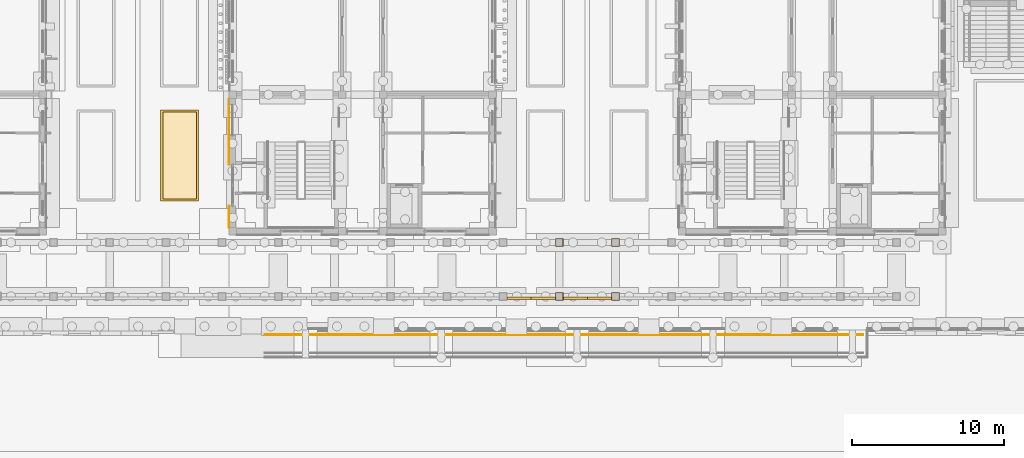
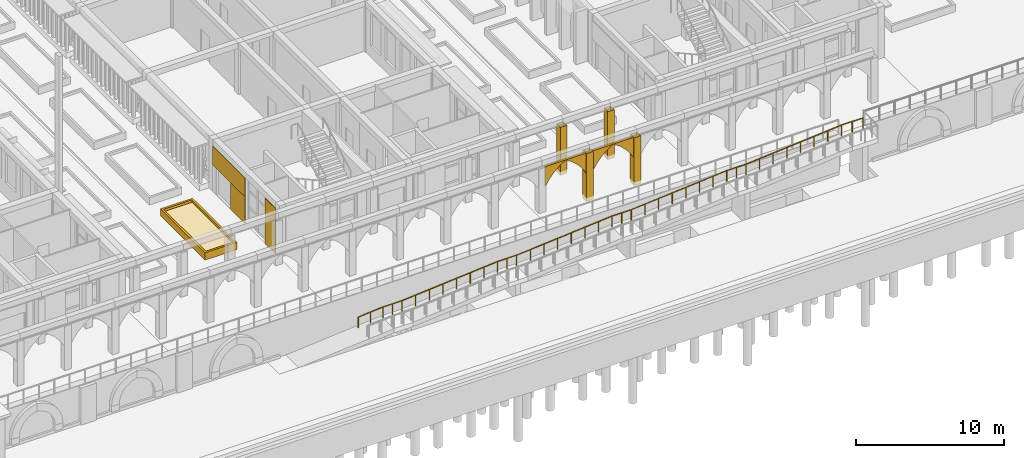
# One storey, part 122 of 161: 13 coverings, 1 railing.
"""IFC4 building model written with IfcOpenShell, lengths in metres."""

from ifc_helpers import new_model, si_unit, direction, frame, origin, origin_2d, place, context, subcontext, project, spatial, polyline, rectangle, circle, outline, extrude, material, layer, layer_set, type_object, element, save


model = new_model("IFC4")

# Units and contexts
model_context = context("Model", 3, precision=1e-05, world=origin(), true_north=direction((0.0, 1.0)))
body_context = subcontext(model_context, "Body", "Model", "MODEL_VIEW")
ifc_project = project(units=[si_unit("LENGTHUNIT", "METRE"), si_unit("AREAUNIT", "SQUARE_METRE"), si_unit("VOLUMEUNIT", "CUBIC_METRE"), si_unit("PLANEANGLEUNIT", "RADIAN"), si_unit("MASSUNIT", "GRAM", prefix="KILO")], contexts=[model_context])

# Site, building, storey
site_placement = place(None, origin())
site = spatial("IfcSite", under=ifc_project, at=site_placement, CompositionType="ELEMENT")
building_placement = place(site_placement, origin())
building = spatial("IfcBuilding", under=site, at=building_placement, Name="Elbe Cascade School", CompositionType="ELEMENT")
storey_placement = place(building_placement, origin())
storey = spatial("IfcBuildingStorey", under=building, at=storey_placement, Name="L00", CompositionType="ELEMENT", Elevation=0.0)

# Coverings
ifc_material_1 = material(Name="Sandstone - red", Category="masonry")
ifc_layer_1 = layer(ifc_material_1, 0.0400390625)
ifc_layer_set_1 = layer_set([ifc_layer_1], Name="Sandstone - red")
covering_type_1 = type_object("IfcCoveringType", Name="Bars envelope Sandstone cladding, red, 40 mm", PredefinedType="CLADDING", material=ifc_layer_set_1)
covering_1_placement = place(storey_placement, frame((127.9599609375, 6.969970703125, 0.0), z_axis=(0.0, 0.0, 1.0), x_axis=(0.0, 1.0, 0.0)))
element("IfcCovering", 1, at=covering_1_placement, inside=storey, type_object=covering_type_1, Name="Sandstone cladding CV48 C.L00.w.1a.1", PredefinedType="CLADDING", context=body_context, shape_type="SweptSolid", body=[
    extrude(rectangle(XDim=1.43994140625, YDim=0.0400390625, at=origin_2d()), origin(), (0.0, 0.0, 1.0), 3.75),
])
covering_2_placement = place(storey_placement, frame((127.9599609375, 11.344970703125, 0.0), z_axis=(0.0, 0.0, 1.0), x_axis=(0.0, 1.0, 0.0)))
element("IfcCovering", 2, at=covering_2_placement, inside=storey, type_object=covering_type_1, Name="Sandstone cladding CV48 C.L00.w.1b.1", PredefinedType="CLADDING", context=body_context, shape_type="SweptSolid", body=[
    extrude(rectangle(XDim=1.909912109375, YDim=0.0400390625, at=origin_2d()), origin(), (0.0, 0.0, 1.0), 2.199951171875),
])
covering_3_placement = place(storey_placement, frame((127.9599609375, 12.570068359375, 2.2001953125), z_axis=(0.0, 0.0, 1.0), x_axis=(0.0, 1.0, 0.0)))
element("IfcCovering", 3, at=covering_3_placement, inside=storey, type_object=covering_type_1, Name="Sandstone cladding CV48 C.L00.w.1b.3", PredefinedType="CLADDING", context=body_context, shape_type="SweptSolid", body=[
    extrude(rectangle(XDim=4.360107421875, YDim=0.0400390625, at=origin_2d()), origin(), (0.0, 0.0, 1.0), 1.550048828125),
])

# Railing
ifc_material_2 = material(Name="Steel S355J2H", Category="steel")
railing_type = type_object("IfcRailingType", Name="Quay and steps handrail 900", PredefinedType="HANDRAIL", material=ifc_material_2)
railing_placement = place(storey_placement, frame((130.320068359375, -0.800048828125, -2.639892578125)))
element("IfcRailing", 4, at=railing_placement, inside=storey, type_object=railing_type, Name="Quay ramp north hand", PredefinedType="HANDRAIL", context=body_context, shape_type="SweptSolid", body=[
    extrude(circle(Radius=0.02392578125, at=origin_2d()), frame((0.0, 0.0, 0.8759765625), z_axis=(0.996549253167, 0.0, 0.083003530115), x_axis=(0.0, 1.0, 0.0)), (0.0, 0.0, 1.0), 1.926513671875),
    extrude(circle(Radius=0.02392578125, at=origin_2d()), frame((1.919921875, 0.0, 1.03564453125), z_axis=(1.0, 0.0, 0.0), x_axis=(0.0, 1.0, 0.0)), (0.0, 0.0, 1.0), 1.5),
    extrude(circle(Radius=0.02392578125, at=origin_2d()), frame((3.419921875, 0.0, 1.03564453125), z_axis=(0.99654711128, 0.0, 0.08302924183), x_axis=(0.0, 1.0, 0.0)), (0.0, 0.0, 1.0), 7.4658203125),
    extrude(circle(Radius=0.02392578125, at=origin_2d()), frame((10.85986328125, 0.0, 1.65576171875), z_axis=(1.0, 0.0, 0.0), x_axis=(0.0, 1.0, 0.0)), (0.0, 0.0, 1.0), 1.5),
    extrude(circle(Radius=0.02392578125, at=origin_2d()), frame((12.35986328125, 0.0, 1.65576171875), z_axis=(0.996544630553, 0.0, 0.083059011045), x_axis=(0.0, 1.0, 0.0)), (0.0, 0.0, 1.0), 7.466064453125),
    extrude(circle(Radius=0.02392578125, at=origin_2d()), frame((19.800048828125, 0.0, 2.27587890625), z_axis=(1.0, 0.0, 0.0), x_axis=(0.0, 1.0, 0.0)), (0.0, 0.0, 1.0), 1.5),
    extrude(circle(Radius=0.02392578125, at=origin_2d()), frame((21.300048828125, 0.0, 2.27587890625), z_axis=(0.99654711128, 0.0, 0.08302924183), x_axis=(0.0, 1.0, 0.0)), (0.0, 0.0, 1.0), 7.4658203125),
    extrude(circle(Radius=0.02392578125, at=origin_2d()), frame((28.739990234375, 0.0, 2.8955078125), z_axis=(1.0, 0.0, 0.0), x_axis=(0.0, 1.0, 0.0)), (0.0, 0.0, 1.0), 1.5),
    extrude(circle(Radius=0.02392578125, at=origin_2d()), frame((30.239990234375, 0.0, 2.8955078125), z_axis=(0.996544404949, 0.0, 0.083061717811), x_axis=(0.0, 1.0, 0.0)), (0.0, 0.0, 1.0), 7.4658203125),
    extrude(circle(Radius=0.02392578125, at=origin_2d()), frame((37.679931640625, 0.0, 3.515625), z_axis=(1.0, 0.0, 0.0), x_axis=(0.0, 1.0, 0.0)), (0.0, 0.0, 1.0), 1.699951171875),
    extrude(circle(Radius=0.02099609375, at=origin_2d()), origin(), (0.0, 0.0, 1.0), 0.851806640625),
    extrude(circle(Radius=0.02099609375, at=origin_2d()), frame((0.9599609375, 0.0, 0.080078125)), (0.0, 0.0, 1.0), 0.851806640625),
    extrude(circle(Radius=0.02099609375, at=origin_2d()), frame((1.919921875, 0.0, 0.159912109375)), (0.0, 0.0, 1.0), 0.851806640625),
    extrude(circle(Radius=0.02099609375, at=origin_2d()), frame((2.669921875, 0.0, 0.159912109375)), (0.0, 0.0, 1.0), 0.851806640625),
    extrude(circle(Radius=0.02099609375, at=origin_2d()), frame((3.419921875, 0.0, 0.159912109375)), (0.0, 0.0, 1.0), 0.851806640625),
    extrude(circle(Radius=0.02099609375, at=origin_2d()), frame((4.482666015625, 0.0, 0.24853515625)), (0.0, 0.0, 1.0), 0.851806640625),
    extrude(circle(Radius=0.02099609375, at=origin_2d()), frame((5.545654296875, 0.0, 0.3369140625)), (0.0, 0.0, 1.0), 0.851806640625),
    extrude(circle(Radius=0.02099609375, at=origin_2d()), frame((6.6083984375, 0.0, 0.425537109375)), (0.0, 0.0, 1.0), 0.851806640625),
    extrude(circle(Radius=0.02099609375, at=origin_2d()), frame((7.67138671875, 0.0, 0.51416015625)), (0.0, 0.0, 1.0), 0.851806640625),
    extrude(circle(Radius=0.02099609375, at=origin_2d()), frame((8.734130859375, 0.0, 0.602783203125)), (0.0, 0.0, 1.0), 0.851806640625),
    extrude(circle(Radius=0.02099609375, at=origin_2d()), frame((9.797119140625, 0.0, 0.691162109375)), (0.0, 0.0, 1.0), 0.851806640625),
    extrude(circle(Radius=0.02099609375, at=origin_2d()), frame((10.85986328125, 0.0, 0.77978515625)), (0.0, 0.0, 1.0), 0.851806640625),
    extrude(circle(Radius=0.02099609375, at=origin_2d()), frame((11.60986328125, 0.0, 0.77978515625)), (0.0, 0.0, 1.0), 0.851806640625),
    extrude(circle(Radius=0.02099609375, at=origin_2d()), frame((12.35986328125, 0.0, 0.77978515625)), (0.0, 0.0, 1.0), 0.851806640625),
    extrude(circle(Radius=0.02099609375, at=origin_2d()), frame((13.4228515625, 0.0, 0.868408203125)), (0.0, 0.0, 1.0), 0.851806640625),
    extrude(circle(Radius=0.02099609375, at=origin_2d()), frame((14.485595703125, 0.0, 0.95703125)), (0.0, 0.0, 1.0), 0.851806640625),
    extrude(circle(Radius=0.02099609375, at=origin_2d()), frame((15.548583984375, 0.0, 1.045654296875)), (0.0, 0.0, 1.0), 0.851806640625),
    extrude(circle(Radius=0.02099609375, at=origin_2d()), frame((16.611328125, 0.0, 1.134033203125)), (0.0, 0.0, 1.0), 0.851806640625),
    extrude(circle(Radius=0.02099609375, at=origin_2d()), frame((17.67431640625, 0.0, 1.22265625)), (0.0, 0.0, 1.0), 0.851806640625),
    extrude(circle(Radius=0.02099609375, at=origin_2d()), frame((18.737060546875, 0.0, 1.311279296875)), (0.0, 0.0, 1.0), 0.851806640625),
    extrude(circle(Radius=0.02099609375, at=origin_2d()), frame((19.800048828125, 0.0, 1.39990234375)), (0.0, 0.0, 1.0), 0.851806640625),
    extrude(circle(Radius=0.02099609375, at=origin_2d()), frame((20.550048828125, 0.0, 1.39990234375)), (0.0, 0.0, 1.0), 0.851806640625),
    extrude(circle(Radius=0.02099609375, at=origin_2d()), frame((21.300048828125, 0.0, 1.39990234375)), (0.0, 0.0, 1.0), 0.851806640625),
    extrude(circle(Radius=0.02099609375, at=origin_2d()), frame((22.36279296875, 0.0, 1.488525390625)), (0.0, 0.0, 1.0), 0.851806640625),
    extrude(circle(Radius=0.02099609375, at=origin_2d()), frame((23.42578125, 0.0, 1.576904296875)), (0.0, 0.0, 1.0), 0.851806640625),
    extrude(circle(Radius=0.02099609375, at=origin_2d()), frame((24.488525390625, 0.0, 1.66552734375)), (0.0, 0.0, 1.0), 0.851806640625),
    extrude(circle(Radius=0.02099609375, at=origin_2d()), frame((25.551513671875, 0.0, 1.754150390625)), (0.0, 0.0, 1.0), 0.851806640625),
    extrude(circle(Radius=0.02099609375, at=origin_2d()), frame((26.6142578125, 0.0, 1.8427734375)), (0.0, 0.0, 1.0), 0.851806640625),
    extrude(circle(Radius=0.02099609375, at=origin_2d()), frame((27.67724609375, 0.0, 1.93115234375)), (0.0, 0.0, 1.0), 0.851806640625),
    extrude(circle(Radius=0.02099609375, at=origin_2d()), frame((28.739990234375, 0.0, 2.019775390625)), (0.0, 0.0, 1.0), 0.851806640625),
    extrude(circle(Radius=0.02099609375, at=origin_2d()), frame((29.489990234375, 0.0, 2.019775390625)), (0.0, 0.0, 1.0), 0.851806640625),
    extrude(circle(Radius=0.02099609375, at=origin_2d()), frame((30.239990234375, 0.0, 2.019775390625)), (0.0, 0.0, 1.0), 0.851806640625),
    extrude(circle(Radius=0.02099609375, at=origin_2d()), frame((31.302734375, 0.0, 2.1083984375)), (0.0, 0.0, 1.0), 0.851806640625),
    extrude(circle(Radius=0.02099609375, at=origin_2d()), frame((32.36572265625, 0.0, 2.197021484375)), (0.0, 0.0, 1.0), 0.851806640625),
    extrude(circle(Radius=0.02099609375, at=origin_2d()), frame((33.428466796875, 0.0, 2.28564453125)), (0.0, 0.0, 1.0), 0.851806640625),
    extrude(circle(Radius=0.02099609375, at=origin_2d()), frame((34.491455078125, 0.0, 2.3740234375)), (0.0, 0.0, 1.0), 0.851806640625),
    extrude(circle(Radius=0.02099609375, at=origin_2d()), frame((35.55419921875, 0.0, 2.462646484375)), (0.0, 0.0, 1.0), 0.851806640625),
    extrude(circle(Radius=0.02099609375, at=origin_2d()), frame((36.6171875, 0.0, 2.55126953125)), (0.0, 0.0, 1.0), 0.851806640625),
    extrude(circle(Radius=0.02099609375, at=origin_2d()), frame((37.679931640625, 0.0, 2.639892578125)), (0.0, 0.0, 1.0), 0.851806640625),
    extrude(circle(Radius=0.02099609375, at=origin_2d()), frame((38.52978515625, 0.0, 2.639892578125)), (0.0, 0.0, 1.0), 0.851806640625),
    extrude(circle(Radius=0.02099609375, at=origin_2d()), frame((39.3798828125, 0.0, 2.639892578125)), (0.0, 0.0, 1.0), 0.851806640625),
])

# Coverings
ifc_material_3 = material(Name="Sandstone - red", Category="masonry")
ifc_layer_2 = layer(ifc_material_3, 0.14990234375)
ifc_layer_set_2 = layer_set([ifc_layer_2], Name="Sandstone - red")
covering_type_2 = type_object("IfcCoveringType", Name="Sandstone arch spandrel 3170x150", PredefinedType="CLADDING", material=ifc_layer_set_2)
covering_4_placement = place(storey_placement, frame((146.264892578125, 1.52490234375, 3.64990234375), z_axis=(0.0, -1.0, 0.0), x_axis=(0.0, 0.0, -1.0)))
element("IfcCovering", 5, at=covering_4_placement, inside=storey, type_object=covering_type_2, Name="Colonnade arch spandrel 38l", PredefinedType="CLADDING", context=body_context, shape_type="SweptSolid", body=[
    extrude(outline(polyline([(0.0, 0.0), (1.64990234375, 0.0), (1.39697265625, 0.14208984375), (1.155029296875, 0.302001953125), (0.92529296875, 0.47900390625), (0.709228515625, 0.672119140625), (0.507568359375, 0.88037109375), (0.3212890625, 1.102783203125), (0.15185546875, 1.338134765625), (0.0, 1.585205078125), (0.0, 0.0)])), origin(), (0.0, 0.0, -1.0), 0.14990234375),
])
covering_5_placement = place(storey_placement, frame((147.85009765625, 1.52490234375, 3.64990234375), z_axis=(0.0, -1.0, 0.0), x_axis=(0.851716162106, 0.0, -0.524003415262)))
element("IfcCovering", 6, at=covering_5_placement, inside=storey, type_object=covering_type_2, Name="Colonnade arch spandrel 38r", PredefinedType="CLADDING", context=body_context, shape_type="SweptSolid", body=[
    extrude(outline(polyline([(0.0, 0.0), (0.28979862406807466, 0.0), (0.5790351354115117, -0.02098430766332937), (0.8660781113695626, -0.06309669056939587), (1.1491202762337052, -0.12572917022788543), (1.4270260923703046, -0.20843378413815372), (1.6981641371186122, -0.3113542998796086), (1.9611430118023847, -0.4336268779193272), (2.214491309750543, -0.5747235477618304), (1.3499368467761932, 0.8305249443074108), (0.0, 0.0)])), origin(), (0.0, 0.0, -1.0), 0.14990234375),
])
covering_6_placement = place(storey_placement, frame((149.965087890625, 1.52490234375, 3.64990234375), z_axis=(0.0, -1.0, 0.0), x_axis=(0.0, 0.0, -1.0)))
element("IfcCovering", 7, at=covering_6_placement, inside=storey, type_object=covering_type_2, Name="Colonnade arch spandrel 39l", PredefinedType="CLADDING", context=body_context, shape_type="SweptSolid", body=[
    extrude(outline(polyline([(0.0, 0.0), (1.64990234375, 0.0), (1.39697265625, 0.141845703125), (1.155029296875, 0.3017578125), (0.92529296875, 0.478759765625), (0.709228515625, 0.671875), (0.507568359375, 0.880126953125), (0.3212890625, 1.1025390625), (0.15185546875, 1.337890625), (0.0, 1.5849609375), (0.0, 0.0)])), origin(), (0.0, 0.0, -1.0), 0.14990234375),
])
covering_7_placement = place(storey_placement, frame((151.550048828125, 1.52490234375, 3.64990234375), z_axis=(0.0, -1.0, 0.0), x_axis=(0.851947232707, 0.0, -0.52362764698)))
element("IfcCovering", 8, at=covering_7_placement, inside=storey, type_object=covering_type_2, Name="Colonnade arch spandrel 39r", PredefinedType="CLADDING", context=body_context, shape_type="SweptSolid", body=[
    extrude(outline(polyline([(0.0, 0.0), (0.2900065908011918, 0.0), (0.5790258222713079, -0.021239735218986977), (0.8660501932777647, -0.06347873721038338), (1.1490647015553945, -0.12623606908103424), (1.4269340071906127, -0.20906326745450166), (1.6980266242612543, -0.3121033802272114), (1.960951535291733, -0.4344919541630051), (2.2142375666576024, -0.5757003697365862), (1.3503030846525463, 0.8299293662587784), (0.0, 0.0)])), origin(), (0.0, 0.0, -1.0), 0.14990234375),
])
ifc_material_4 = material(Name="Sandstone - red", Category="masonry")
ifc_layer_3 = layer(ifc_material_4, 0.0400390625)
ifc_layer_set_3 = layer_set([ifc_layer_3], Name="Sandstone - red")
covering_type_3 = type_object("IfcCoveringType", Name="Sandstone column cladding 40", PredefinedType="CLADDING", material=ifc_layer_set_3)
covering_8_placement = place(storey_placement, frame((0.0, 0.0, -0.300048828125)))
element("IfcCovering", 9, at=covering_8_placement, inside=storey, type_object=covering_type_3, Name="Colonnade column sandstone cladding F39", PredefinedType="CLADDING", context=body_context, shape_type="SweptSolid", body=[
    extrude(outline(polyline([(149.43505859375, 1.4599609375), (149.965087890625, 1.4599609375), (149.965087890625, 1.989990234375), (149.43505859375, 1.989990234375), (149.43505859375, 1.4599609375)]), holes=[polyline([(149.47509765625, 1.949951171875), (149.925048828125, 1.949951171875), (149.925048828125, 1.5), (149.47509765625, 1.5), (149.47509765625, 1.949951171875)])]), origin(), (0.0, 0.0, 1.0), 3.949951171875),
])
covering_9_placement = place(storey_placement, frame((0.0, 0.0, -0.300048828125)))
element("IfcCovering", 10, at=covering_9_placement, inside=storey, type_object=covering_type_3, Name="Colonnade column sandstone cladding F40", PredefinedType="CLADDING", context=body_context, shape_type="SweptSolid", body=[
    extrude(outline(polyline([(153.135009765625, 1.4599609375), (153.6650390625, 1.4599609375), (153.6650390625, 1.989990234375), (153.135009765625, 1.989990234375), (153.135009765625, 1.4599609375)]), holes=[polyline([(153.175048828125, 1.949951171875), (153.625, 1.949951171875), (153.625, 1.5), (153.175048828125, 1.5), (153.175048828125, 1.949951171875)])]), origin(), (0.0, 0.0, 1.0), 3.949951171875),
])
covering_10_placement = place(storey_placement, frame((0.0, 0.0, -0.300048828125)))
element("IfcCovering", 11, at=covering_10_placement, inside=storey, type_object=covering_type_3, Name="Colonnade column sandstone cladding R39", PredefinedType="CLADDING", context=body_context, shape_type="SweptSolid", body=[
    extrude(outline(polyline([(149.43505859375, 5.010009765625), (149.965087890625, 5.010009765625), (149.965087890625, 5.5400390625), (149.43505859375, 5.5400390625), (149.43505859375, 5.010009765625)]), holes=[polyline([(149.47509765625, 5.5), (149.925048828125, 5.5), (149.925048828125, 5.050048828125), (149.47509765625, 5.050048828125), (149.47509765625, 5.5)])]), origin(), (0.0, 0.0, 1.0), 3.949951171875),
])
covering_11_placement = place(storey_placement, frame((0.0, 0.0, -0.300048828125)))
element("IfcCovering", 12, at=covering_11_placement, inside=storey, type_object=covering_type_3, Name="Colonnade column sandstone cladding R40", PredefinedType="CLADDING", context=body_context, shape_type="SweptSolid", body=[
    extrude(outline(polyline([(153.135009765625, 5.010009765625), (153.6650390625, 5.010009765625), (153.6650390625, 5.5400390625), (153.135009765625, 5.5400390625), (153.135009765625, 5.010009765625)]), holes=[polyline([(153.175048828125, 5.5), (153.625, 5.5), (153.625, 5.050048828125), (153.175048828125, 5.050048828125), (153.175048828125, 5.5)])]), origin(), (0.0, 0.0, 1.0), 3.949951171875),
])
ifc_material_5 = material(Name="Planting - soil and shrubs", Category="soil")
ifc_layer_4 = layer(ifc_material_5, 0.39990234375)
ifc_layer_set_4 = layer_set([ifc_layer_4], Name="Planting - soil and shrubs")
covering_type_4 = type_object("IfcCoveringType", Name="Site planting bed 400", PredefinedType="USERDEFINED", material=ifc_layer_set_4)
covering_12_placement = place(storey_placement, origin())
element("IfcCovering", 13, at=covering_12_placement, inside=storey, type_object=covering_type_4, Name="Court B-C planting bed east 1", ObjectType="PLANTING BED", PredefinedType="USERDEFINED", context=body_context, shape_type="SweptSolid", body=[
    extrude(outline(polyline([(123.60009765625, 8.14990234375), (125.800048828125, 8.14990234375), (125.800048828125, 13.85009765625), (123.60009765625, 13.85009765625), (123.60009765625, 8.14990234375)])), origin(), (0.0, 0.0, 1.0), 0.39990234375),
])
ifc_material_6 = material(Name="Concrete C30/37 precast kerb", Category="concrete")
ifc_layer_5 = layer(ifc_material_6, 0.14990234375)
ifc_layer_set_5 = layer_set([ifc_layer_5], Name="Concrete C30/37 precast kerb")
covering_type_5 = type_object("IfcCoveringType", Name="Site planting bed kerb 150x600", PredefinedType="CLADDING", material=ifc_layer_set_5)
covering_13_placement = place(storey_placement, origin())
element("IfcCovering", 14, at=covering_13_placement, inside=storey, type_object=covering_type_5, Name="Court B-C planting bed kerb east 1", PredefinedType="CLADDING", context=body_context, shape_type="SweptSolid", body=[
    extrude(outline(polyline([(123.449951171875, 8.0), (125.949951171875, 8.0), (125.949951171875, 14.0), (123.449951171875, 14.0), (123.449951171875, 8.0)]), holes=[polyline([(123.60009765625, 8.14990234375), (125.800048828125, 8.14990234375), (125.800048828125, 13.85009765625), (123.60009765625, 13.85009765625), (123.60009765625, 8.14990234375)])]), origin(), (0.0, 0.0, 1.0), 0.60009765625),
])

save(model, "model.ifc")
